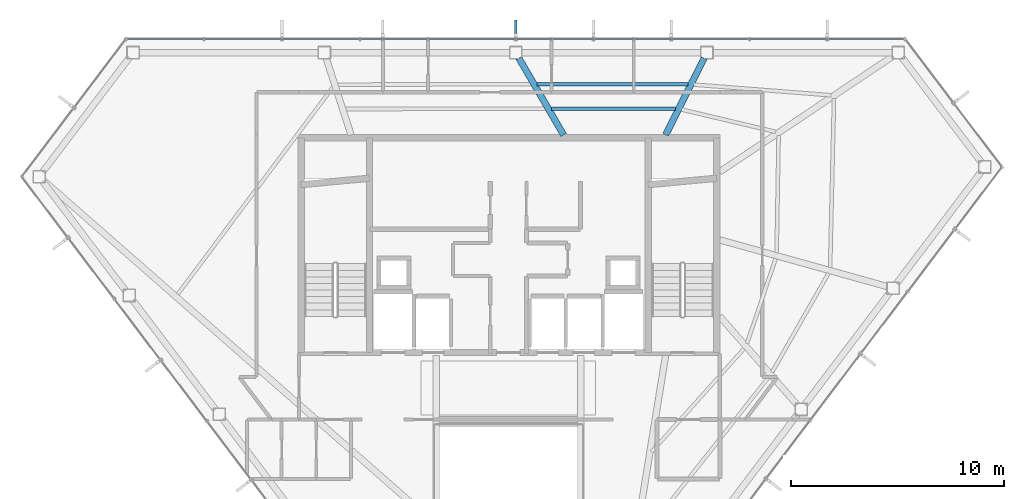
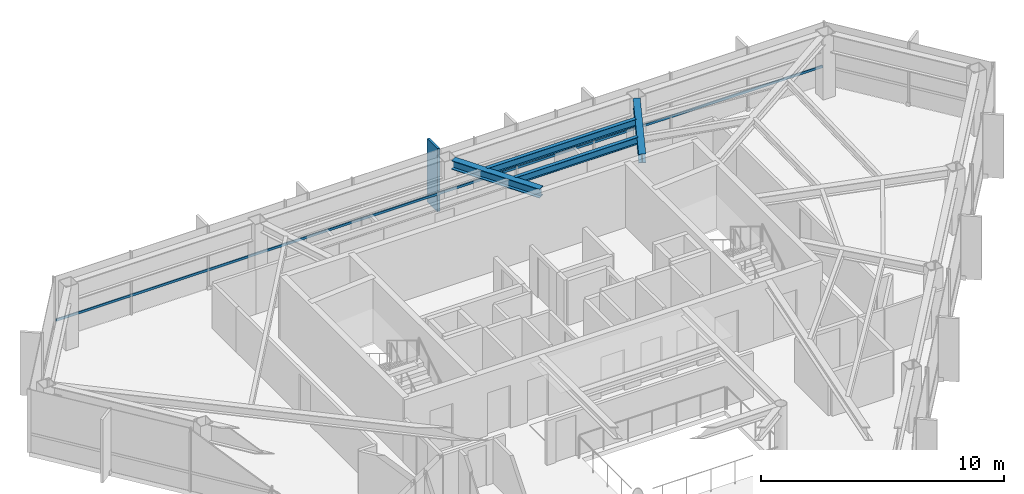
# One storey, part 13 of 25: 4 beams, 2 members, 1 element without a shape of its own.
"""IFC4 building model written with IfcOpenShell, lengths in metres."""

from ifc_helpers import new_model, si_unit, direction, frame, origin, origin_2d, place, context, subcontext, project, spatial, rectangle, hollow_rectangle, i_section, extrude, material, layer, layer_set, material_profile, profile_set, type_object, element, aggregate, save


model = new_model("IFC4")

# Units and contexts
model_context = context("Model", 3, precision=1e-05, world=origin(), true_north=direction((0.0, 1.0)))
body_context = subcontext(model_context, "Body", "Model", "MODEL_VIEW")
ifc_project = project(units=[si_unit("LENGTHUNIT", "METRE"), si_unit("AREAUNIT", "SQUARE_METRE"), si_unit("VOLUMEUNIT", "CUBIC_METRE"), si_unit("PLANEANGLEUNIT", "RADIAN"), si_unit("MASSUNIT", "GRAM", prefix="KILO")], contexts=[model_context])

# Site, building, storey
site_placement = place(None, origin())
site = spatial("IfcSite", under=ifc_project, at=site_placement, CompositionType="ELEMENT")
building_placement = place(site_placement, origin())
building = spatial("IfcBuilding", under=site, at=building_placement, Name="Zarrinselat Tower", CompositionType="ELEMENT")
storey_placement = place(building_placement, frame((0.0, 0.0, 239.360107421875)))
storey = spatial("IfcBuildingStorey", under=building, at=storey_placement, Name="L60", CompositionType="ELEMENT", Elevation=239.360107421875)

# Beams
ifc_material_1 = material(Name="Steel S355J2", Category="steel")
ifc_material_profile_1 = material_profile(ifc_material_1, i_section(OverallWidth=0.300048828125, OverallDepth=0.449951171875, WebThickness=0.013916015625, FlangeThickness=0.02587890625, at=origin_2d()), Name="HEB 450")
ifc_profile_set_1 = profile_set([ifc_material_profile_1], Name="Steel S355J2")
beam_type_1 = type_object("IfcBeamType", Name="BM-HEB450", PredefinedType="BEAM", material=ifc_profile_set_1)
beam_1_placement = place(storey_placement, frame((45.800048828125, 43.5400390625, 2.954833984375), z_axis=(0.448981509487, 0.89354104782, 0.0), x_axis=(-0.89354104782, 0.448981509487, 0.0)))
element("IfcBeam", 1, at=beam_1_placement, inside=storey, type_object=beam_type_1, Name="L60 Radial Primary Girder RG02", PredefinedType="BEAM", context=body_context, shape_type="SweptSolid", body=[
    extrude(i_section(OverallWidth=0.300048828125, OverallDepth=0.449951171875, WebThickness=0.013916015625, FlangeThickness=0.02587890625, at=origin_2d()), origin(), (0.0, 0.0, 1.0), 4.0302734375),
])
beam_2_placement = place(storey_placement, frame((38.896728515625, 47.150146484375, 2.954833984375), z_axis=(0.503402274464, -0.864052168601, 0.0), x_axis=(0.864052168601, 0.503402274464, 0.0)))
element("IfcBeam", 2, at=beam_2_placement, inside=storey, type_object=beam_type_1, Name="L60 Radial Primary Girder RG03", PredefinedType="BEAM", context=body_context, shape_type="SweptSolid", body=[
    extrude(i_section(OverallWidth=0.300048828125, OverallDepth=0.449951171875, WebThickness=0.013916015625, FlangeThickness=0.02587890625, at=origin_2d()), origin(), (0.0, 0.0, 1.0), 4.17822265625),
])
ifc_material_2 = material(Name="Steel S355J2", Category="steel")
ifc_material_profile_2 = material_profile(ifc_material_2, i_section(OverallWidth=0.169921875, OverallDepth=0.360107421875, WebThickness=0.008056640625, FlangeThickness=0.0126953125, at=origin_2d()), Name="IPE 360")
ifc_profile_set_2 = profile_set([ifc_material_profile_2], Name="Steel S355J2")
beam_type_2 = type_object("IfcBeamType", Name="BM-IPE360", PredefinedType="JOIST", material=ifc_profile_set_2)
beam_3_placement = place(storey_placement, frame((39.751953125, 45.922607421875, 3.0), z_axis=(0.999999687458, -0.000790622282, 0.0), x_axis=(0.000790622282, 0.999999687458, 0.0)))
element("IfcBeam", 3, at=beam_3_placement, inside=storey, type_object=beam_type_2, Name="L60 Composite Floor Joist 7-1", PredefinedType="JOIST", context=body_context, shape_type="SweptSolid", body=[
    extrude(i_section(OverallWidth=0.169921875, OverallDepth=0.360107421875, WebThickness=0.008056640625, FlangeThickness=0.0126953125, at=origin_2d()), origin(), (0.0, 0.0, 1.0), 7.102294921875),
])
beam_4_placement = place(storey_placement, frame((40.4248046875, 44.767333984375, 3.0), z_axis=(0.999999874624, -0.000500751064, 0.0), x_axis=(0.000500751064, 0.999999874624, 0.0)))
element("IfcBeam", 4, at=beam_4_placement, inside=storey, type_object=beam_type_2, Name="L60 Composite Floor Joist 7-2", PredefinedType="JOIST", context=body_context, shape_type="SweptSolid", body=[
    extrude(i_section(OverallWidth=0.169921875, OverallDepth=0.360107421875, WebThickness=0.008056640625, FlangeThickness=0.0126953125, at=origin_2d()), origin(), (0.0, 0.0, 1.0), 5.8505859375),
])

# Curtain wall, members
ifc_material_3 = material(Name="Extruded Aluminium Alloy EN AW-6063 T6", Category="aluminium")
ifc_layer = layer(ifc_material_3, 0.169921875)
ifc_layer_set = layer_set([ifc_layer], Name="Extruded Aluminium Alloy EN AW-6063 T6")
curtain_wall_type = type_object("IfcCurtainWallType", Name="CWS-RES", PredefinedType="NOTDEFINED", material=ifc_layer_set)
curtain_wall_placement = place(storey_placement, origin())
curtain_wall = element("IfcCurtainWall", 5, at=curtain_wall_placement, inside=storey, type_object=curtain_wall_type, Name="L60 Unitised Curtain Wall CW-L60-E01", PredefinedType="NOTDEFINED")
ifc_material_4 = material(Name="Extruded Aluminium Alloy EN AW-6063 T6", Category="aluminium")
ifc_material_profile_3 = material_profile(ifc_material_4, hollow_rectangle(XDim=0.06005859375, YDim=0.1201171875, WallThickness=0.00390625, at=origin_2d()), Name="RHS 120x60x4")
ifc_profile_set_3 = profile_set([ifc_material_profile_3], Name="Extruded Aluminium Alloy EN AW-6063 T6")
member_type_1 = type_object("IfcMemberType", Name="MEM-CW-TRN2", PredefinedType="USERDEFINED", material=ifc_profile_set_3)
member_1_placement = place(storey_placement, frame((56.978515625, 48.06103515625, 0.949951171875), z_axis=(-1.0, 0.0, 0.0), x_axis=(0.0, -1.0, 0.0)))
member_1 = element("IfcMember", 6, at=member_1_placement, type_object=member_type_1, Name="CW-L60-E01 Transom 1", ObjectType="TRANSOM", PredefinedType="USERDEFINED", context=body_context, shape_type="SweptSolid", body=[
    extrude(hollow_rectangle(XDim=0.06005859375, YDim=0.1201171875, WallThickness=0.00390625, at=origin_2d()), origin(), (0.0, 0.0, 1.0), 36.467529296875),
])
ifc_material_5 = material(Name="Honed Cream Travertine Stone", Category="masonry")
ifc_material_profile_4 = material_profile(ifc_material_5, rectangle(XDim=0.1201171875, YDim=0.85009765625, at=origin_2d()), Name="FIN 850x120")
ifc_profile_set_4 = profile_set([ifc_material_profile_4], Name="Honed Cream Travertine Stone")
member_type_2 = type_object("IfcMemberType", Name="MEM-STONE-FIN", PredefinedType="USERDEFINED", material=ifc_profile_set_4)
member_2_placement = place(storey_placement, frame((38.744873046875, 48.52099609375, 0.0), z_axis=(0.0, 0.0, 1.0), x_axis=(1.0, 0.0, 0.0)))
member_2 = element("IfcMember", 7, at=member_2_placement, type_object=member_type_2, Name="L60 Stone Shading Fin CW-L60-E01-07", ObjectType="FIN", PredefinedType="USERDEFINED", context=body_context, shape_type="SweptSolid", body=[
    extrude(rectangle(XDim=0.1201171875, YDim=0.85009765625, at=origin_2d()), origin(), (0.0, 0.0, 1.0), 3.179931640625),
])
aggregate(curtain_wall, [member_2, member_1])

save(model, "model.ifc")
